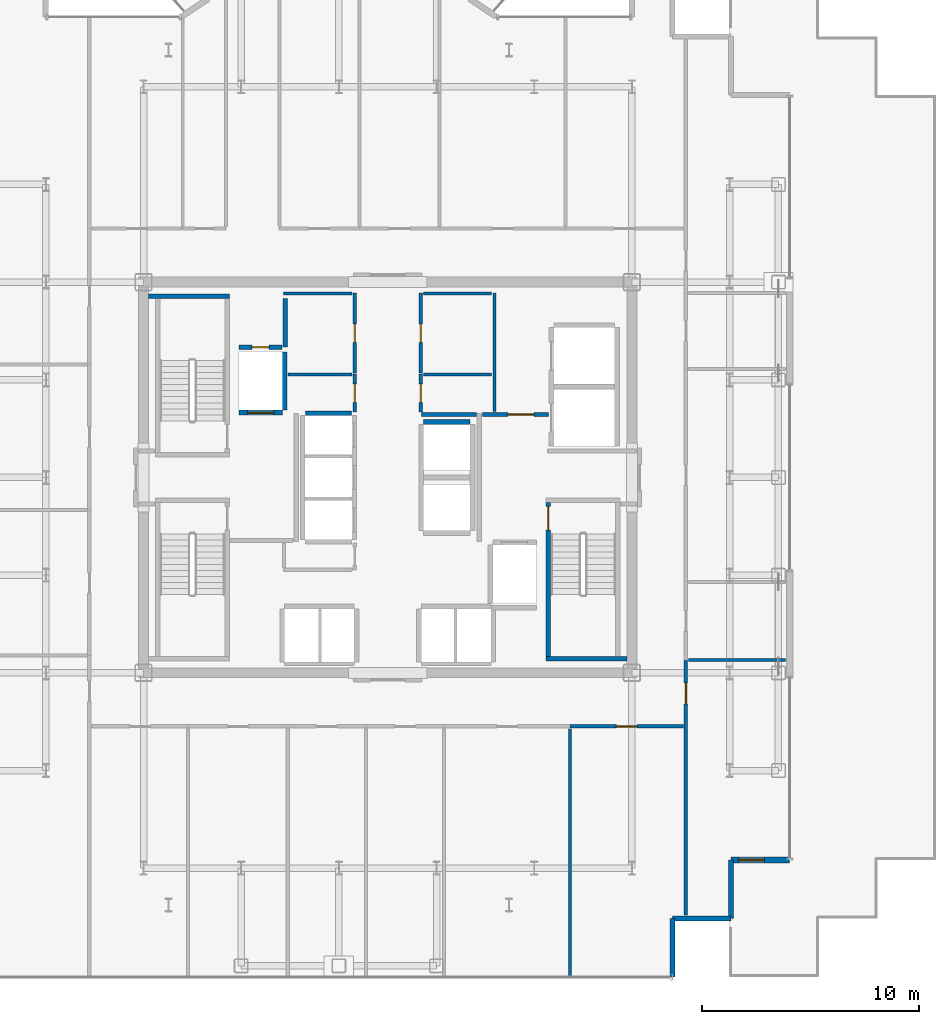
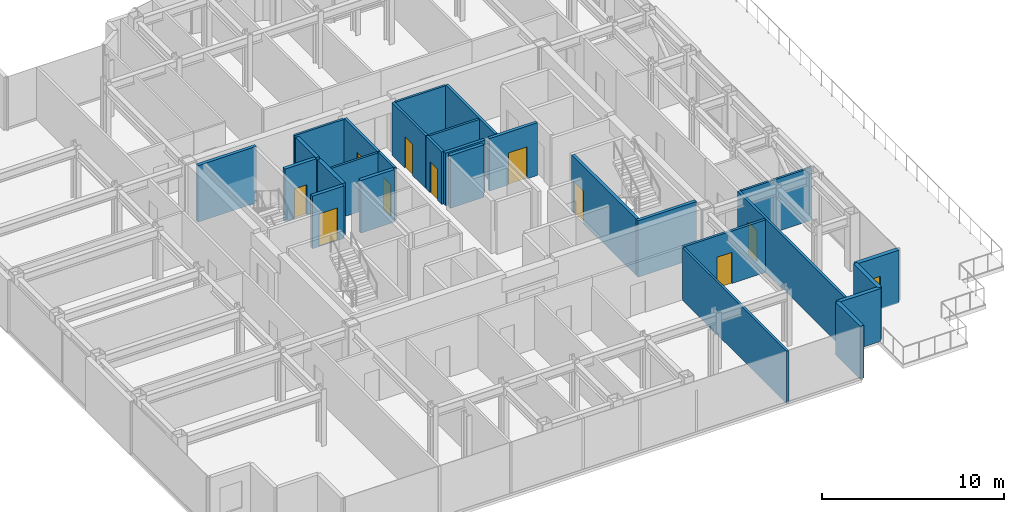
# One storey, part 13 of 17: 28 walls, 11 doors, 11 openings.
"""IFC4 building model written with IfcOpenShell, lengths in metres."""

from ifc_helpers import new_model, si_unit, direction, frame, frame_2d, origin, place, context, subcontext, project, spatial, rectangle, extrude, source, transform, mapped, material, layer, layer_set, type_object, element, fill, save


model = new_model("IFC4")

# Units and contexts
model_context = context("Model", 3, precision=1e-05, world=origin(), true_north=direction((0.0, 1.0)))
body_context = subcontext(model_context, "Body", "Model", "MODEL_VIEW")
ifc_project = project(units=[si_unit("LENGTHUNIT", "METRE"), si_unit("AREAUNIT", "SQUARE_METRE"), si_unit("VOLUMEUNIT", "CUBIC_METRE"), si_unit("PLANEANGLEUNIT", "RADIAN"), si_unit("MASSUNIT", "GRAM", prefix="KILO")], contexts=[model_context])

# Site, building, storey
site_placement = place(None, origin())
site = spatial("IfcSite", under=ifc_project, at=site_placement, CompositionType="ELEMENT")
building_placement = place(site_placement, origin())
building = spatial("IfcBuilding", under=site, at=building_placement, Name="Nefas-Gora Pilgrimage Tower", CompositionType="ELEMENT")
storey_placement = place(building_placement, frame((0.0, 0.0, 264.60009765625)))
storey = spatial("IfcBuildingStorey", under=building, at=storey_placement, Name="L66", CompositionType="ELEMENT", Elevation=264.60009765625)

# Walls
ifc_material_1 = material(Name="Precast concrete C45/55", Category="concrete")
ifc_layer_1 = layer(ifc_material_1, 0.239990234375)
ifc_layer_set_1 = layer_set([ifc_layer_1], Name="Precast concrete C45/55")
wall_type_1 = type_object("IfcWallType", Name="EW-SERR-240", PredefinedType="SHEAR", material=ifc_layer_set_1)
shared_shape_1 = source(origin(), body_context, "Body", "SweptSolid", [
    extrude(rectangle(XDim=2.699951171875, YDim=0.239990234375, at=frame_2d((1.35009765625, 0.0))), origin(), (0.0, 0.0, 1.0), 3.5498046875),
])
for number, where, z_axis, x_axis, name in (
    (1, (13.1201171875, -23.02001953125, 0.0), (0.0, 0.0, 1.0), (0.0, 1.0, 0.0), "L66 Serrated Corner Shear Pier Wall 29"),
    (2, (13.1201171875, -20.320068359375, 0.0), (0.0, 0.0, 1.0), (1.0, 0.0, 0.0), "L66 Serrated Corner Shear Pier Wall 30"),
    (3, (15.820068359375, -20.320068359375, 0.0), (0.0, 0.0, 1.0), (0.0, 1.0, 0.0), "L66 Serrated Corner Shear Pier Wall 31"),
):
    element("IfcWall", number, at=place(storey_placement, frame(where, z_axis=z_axis, x_axis=x_axis)), inside=storey, type_object=wall_type_1, Name=name, PredefinedType="SHEAR", context=body_context, shape_type="MappedRepresentation", body=[
        mapped(shared_shape_1, transform((0.0, 0.0, 0.0), x_axis=(1.0, 0.0, 0.0), y_axis=(0.0, 1.0, 0.0), z_axis=(0.0, 0.0, 1.0), scale=1.0)),
    ])

# Wall, opening, door
ifc_material_2 = material(Name="Precast concrete C40/50", Category="concrete")
ifc_layer_2 = layer(ifc_material_2, 0.260009765625)
ifc_layer_set_2 = layer_set([ifc_layer_2], Name="Precast concrete C40/50")
wall_type_2 = type_object("IfcWallType", Name="EW-PORTAL-260", PredefinedType="SOLIDWALL", material=ifc_layer_set_2)
shared_shape_2 = source(origin(), body_context, "Body", "SweptSolid", [
    extrude(rectangle(XDim=2.699951171875, YDim=0.260009765625, at=frame_2d((1.35009765625, 0.0))), origin(), (0.0, 0.0, 1.0), 3.5498046875),
])
wall_1_placement = place(storey_placement, frame((15.820068359375, -17.6201171875, 0.0), z_axis=(0.0, 0.0, 1.0), x_axis=(1.0, 0.0, 0.0)))
wall_1 = element("IfcWall", 4, at=wall_1_placement, inside=storey, type_object=wall_type_2, Name="L66 Insulated Terrace Portal Wall 5", PredefinedType="SOLIDWALL", context=body_context, shape_type="MappedRepresentation", body=[
    mapped(shared_shape_2, transform((0.0, 0.0, 0.0), x_axis=(1.0, 0.0, 0.0), y_axis=(0.0, 1.0, 0.0), z_axis=(0.0, 0.0, 1.0), scale=1.0)),
])
opening_1_placement = place(wall_1_placement, frame((0.333984375, 0.0, 0.0)))
opening_1 = element("IfcOpeningElement", 5, at=opening_1_placement, cuts=wall_1, Name="Opening ED-S1", PredefinedType="OPENING", context=body_context, shape_type="SweptSolid", body=[
    extrude(rectangle(XDim=1.199951171875, YDim=2.199951171875, at=frame_2d((0.60009765625, 1.10009765625))), frame((0.0, 0.139892578125, 0.0), z_axis=(0.0, -1.0, 0.0), x_axis=(1.0, 0.0, 0.0)), (0.0, 0.0, 1.0), 0.280029296875),
])
ifc_material_3 = material(Name="Heavy-wind glazed aluminium sky-terrace door", Category="aluminium")
door_type_1 = type_object("IfcDoorType", Name="DR-EXT-SKY-1200", OperationType="NOTDEFINED", PredefinedType="DOOR", material=ifc_material_3)
shared_shape_3 = source(origin(), body_context, "Body", "SweptSolid", [
    extrude(rectangle(XDim=1.199951171875, YDim=2.199951171875, at=frame_2d((0.60009765625, 1.10009765625))), frame((0.0, 0.02490234375, 0.0), z_axis=(0.0, -1.0, 0.0), x_axis=(1.0, 0.0, 0.0)), (0.0, 0.0, 1.0), 0.050048828125),
])
door_1_placement = place(opening_1_placement, origin())
door_1 = element("IfcDoor", 6, at=door_1_placement, inside=storey, type_object=door_type_1, Name="L66 Exterior Door (L66 Outdoor Terrace TER-L66-1)", OperationType="SINGLE_SWING_LEFT", OverallHeight=2.199951171875, OverallWidth=1.199951171875, PredefinedType="DOOR", context=body_context, shape_type="MappedRepresentation", body=[
    mapped(shared_shape_3, transform((0.0, 0.0, 0.0), x_axis=(1.0, 0.0, 0.0), y_axis=(0.0, 1.0, 0.0), z_axis=(0.0, 0.0, 1.0), scale=1.0)),
])
fill(opening_1, door_1)

ifc_material_4 = material(Name="Concrete C45/55", Category="concrete")
ifc_layer_3 = layer(ifc_material_4, 0.199951171875)
ifc_layer_set_3 = layer_set([ifc_layer_3], Name="Concrete C45/55")
wall_type_3 = type_object("IfcWallType", Name="IW-STAIR-200", PredefinedType="SOLIDWALL", material=ifc_layer_set_3)
shared_shape_4 = source(origin(), body_context, "Body", "SweptSolid", [
    extrude(rectangle(XDim=7.10009765625, YDim=0.199951171875, at=frame_2d((3.550048828125, 0.0))), origin(), (0.0, 0.0, 1.0), 3.7998046875),
])
wall_2_placement = place(storey_placement, frame((7.39990234375, -1.14990234375, 0.0), z_axis=(0.0, 0.0, 1.0), x_axis=(0.0, -1.0, 0.0)))
wall_2 = element("IfcWall", 7, at=wall_2_placement, inside=storey, type_object=wall_type_3, Name="L66 Stairwell Shear Wall ST-02-left", PredefinedType="SOLIDWALL", context=body_context, shape_type="MappedRepresentation", body=[
    mapped(shared_shape_4, transform((0.0, 0.0, 0.0), x_axis=(1.0, 0.0, 0.0), y_axis=(0.0, 1.0, 0.0), z_axis=(0.0, 0.0, 1.0), scale=1.0)),
])
opening_2_placement = place(wall_2_placement, frame((0.179931640625, 0.0, 0.0)))
opening_2 = element("IfcOpeningElement", 8, at=opening_2_placement, cuts=wall_2, Name="Opening ID-ST1", PredefinedType="OPENING", context=body_context, shape_type="SweptSolid", body=[
    extrude(rectangle(XDim=1.10009765625, YDim=2.14990234375, at=frame_2d((0.550048828125, 1.074951171875))), frame((0.0, 0.10986328125, 0.0), z_axis=(0.0, -1.0, 0.0), x_axis=(1.0, 0.0, 0.0)), (0.0, 0.0, 1.0), 0.219970703125),
])
ifc_material_5 = material(Name="Painted galvanised steel fire stair door", Category="steel")
door_type_2 = type_object("IfcDoorType", Name="DR-INT-STAIR-1100", OperationType="NOTDEFINED", PredefinedType="DOOR", material=ifc_material_5)
shared_shape_5 = source(origin(), body_context, "Body", "SweptSolid", [
    extrude(rectangle(XDim=1.10009765625, YDim=2.14990234375, at=frame_2d((0.550048828125, 1.074951171875))), frame((0.0, 0.02490234375, 0.0), z_axis=(0.0, -1.0, 0.0), x_axis=(1.0, 0.0, 0.0)), (0.0, 0.0, 1.0), 0.050048828125),
])
door_2_placement = place(opening_2_placement, origin())
door_2 = element("IfcDoor", 9, at=door_2_placement, inside=storey, type_object=door_type_2, Name="L66 Protected Exit Stair Door ST-02", OperationType="SINGLE_SWING_LEFT", OverallHeight=2.14990234375, OverallWidth=1.10009765625, PredefinedType="DOOR", context=body_context, shape_type="MappedRepresentation", body=[
    mapped(shared_shape_5, transform((0.0, 0.0, 0.0), x_axis=(1.0, 0.0, 0.0), y_axis=(0.0, 1.0, 0.0), z_axis=(0.0, 0.0, 1.0), scale=1.0)),
])
fill(opening_2, door_2)

# Walls
shared_shape_6 = source(origin(), body_context, "Body", "SweptSolid", [
    extrude(rectangle(XDim=3.72998046875, YDim=0.199951171875, at=frame_2d((1.864990234375, 0.0))), origin(), (0.0, 0.0, 1.0), 3.7998046875),
])
for number, where, z_axis, x_axis, name in (
    (10, (-7.300048828125, 8.35009765625, 0.0), (0.0, 0.0, 1.0), (-1.0, 0.0, 0.0), "L66 Stairwell Shear Wall ST-01-far"),
    (11, (7.300048828125, -8.35009765625, 0.0), (0.0, 0.0, 1.0), (1.0, 0.0, 0.0), "L66 Stairwell Shear Wall ST-02-far"),
):
    element("IfcWall", number, at=place(storey_placement, frame(where, z_axis=z_axis, x_axis=x_axis)), inside=storey, type_object=wall_type_3, Name=name, PredefinedType="SOLIDWALL", context=body_context, shape_type="MappedRepresentation", body=[
        mapped(shared_shape_6, transform((0.0, 0.0, 0.0), x_axis=(1.0, 0.0, 0.0), y_axis=(0.0, 1.0, 0.0), z_axis=(0.0, 0.0, 1.0), scale=1.0)),
    ])

# Wall, opening, door
ifc_material_6 = material(Name="Concrete C40/50", Category="concrete")
ifc_layer_4 = layer(ifc_material_6, 0.219970703125)
ifc_layer_set_4 = layer_set([ifc_layer_4], Name="Concrete C40/50")
wall_type_4 = type_object("IfcWallType", Name="IW-SHAFT-220", PredefinedType="SOLIDWALL", material=ifc_layer_set_4)
shared_shape_7 = source(origin(), body_context, "Body", "SweptSolid", [
    extrude(rectangle(XDim=2.0, YDim=0.219970703125, at=frame_2d((1.0, 0.0))), origin(), (0.0, 0.0, 1.0), 3.534912109375),
])
wall_3_placement = place(storey_placement, frame((-6.85009765625, 2.989990234375, 0.0), z_axis=(0.0, 0.0, 1.0), x_axis=(1.0, 0.0, 0.0)))
wall_3 = element("IfcWall", 12, at=wall_3_placement, inside=storey, type_object=wall_type_4, Name="L66 Hoistway Wall FFL-01-S", PredefinedType="SOLIDWALL", context=body_context, shape_type="MappedRepresentation", body=[
    mapped(shared_shape_7, transform((0.0, 0.0, 0.0), x_axis=(1.0, 0.0, 0.0), y_axis=(0.0, 1.0, 0.0), z_axis=(0.0, 0.0, 1.0), scale=1.0)),
])
opening_3_placement = place(wall_3_placement, frame((0.39990234375, 0.0, 0.0)))
opening_3 = element("IfcOpeningElement", 13, at=opening_3_placement, cuts=wall_3, Name="Opening LD-FF", PredefinedType="OPENING", context=body_context, shape_type="SweptSolid", body=[
    extrude(rectangle(XDim=1.199951171875, YDim=2.199951171875, at=frame_2d((0.60009765625, 1.10009765625))), frame((0.0, 0.119873046875, 0.0), z_axis=(0.0, -1.0, 0.0), x_axis=(1.0, 0.0, 0.0)), (0.0, 0.0, 1.0), 0.239990234375),
])
ifc_material_7 = material(Name="Fire-service sliding lift landing door")
door_type_3 = type_object("IfcDoorType", Name="DR-LIFT-FSAE-1200", OperationType="SLIDING_TO_LEFT", PredefinedType="DOOR", material=ifc_material_7)
door_3_placement = place(opening_3_placement, origin())
door_3 = element("IfcDoor", 14, at=door_3_placement, inside=storey, type_object=door_type_3, Name="L66 Sliding Lift Landing Door FFL-01", OperationType="SLIDING_TO_LEFT", OverallHeight=2.199951171875, OverallWidth=1.199951171875, PredefinedType="DOOR", context=body_context, shape_type="MappedRepresentation", body=[
    mapped(shared_shape_3, transform((0.0, 0.0, 0.0), x_axis=(1.0, 0.0, 0.0), y_axis=(0.0, 1.0, 0.0), z_axis=(0.0, 0.0, 1.0), scale=1.0)),
])
fill(opening_3, door_3)

# Walls
shared_shape_8 = source(origin(), body_context, "Body", "SweptSolid", [
    extrude(rectangle(XDim=2.679931640625, YDim=0.219970703125, at=frame_2d((1.33984375, 0.0))), origin(), (0.0, 0.0, 1.0), 3.534912109375),
])
wall_4_placement = place(storey_placement, frame((-4.739990234375, 3.110107421875, 0.0), z_axis=(0.0, 0.0, 1.0), x_axis=(0.0, 1.0, 0.0)))
element("IfcWall", 15, at=wall_4_placement, inside=storey, type_object=wall_type_4, Name="L66 Hoistway Wall FFL-01-E", PredefinedType="SOLIDWALL", context=body_context, shape_type="MappedRepresentation", body=[
    mapped(shared_shape_8, transform((0.0, 0.0, 0.0), x_axis=(1.0, 0.0, 0.0), y_axis=(0.0, 1.0, 0.0), z_axis=(0.0, 0.0, 1.0), scale=1.0)),
])
shared_shape_9 = source(origin(), body_context, "Body", "SweptSolid", [
    extrude(rectangle(XDim=2.130126953125, YDim=0.219970703125, at=frame_2d((1.06494140625, 0.0))), origin(), (0.0, 0.0, 1.0), 3.534912109375),
])
for number, where, z_axis, x_axis, name in (
    (16, (-1.659912109375, 2.9599609375, 0.0), (0.0, 0.0, 1.0), (-1.0, 0.0, 0.0), "L66 Hoistway Wall PL3-03-N"),
    (17, (3.7900390625, 2.56005859375, 0.0), (0.0, 0.0, 1.0), (-1.0, 0.0, 0.0), "L66 Hoistway Wall OBS-02-N"),
):
    element("IfcWall", number, at=place(storey_placement, frame(where, z_axis=z_axis, x_axis=x_axis)), inside=storey, type_object=wall_type_4, Name=name, PredefinedType="SOLIDWALL", context=body_context, shape_type="MappedRepresentation", body=[
        mapped(shared_shape_9, transform((0.0, 0.0, 0.0), x_axis=(1.0, 0.0, 0.0), y_axis=(0.0, 1.0, 0.0), z_axis=(0.0, 0.0, 1.0), scale=1.0)),
    ])

# Wall, opening, door
ifc_material_8 = material(Name="Gypsum fire-rated shaftwall")
ifc_layer_5 = layer(ifc_material_8, 0.199951171875)
ifc_layer_set_5 = layer_set([ifc_layer_5], Name="Gypsum fire-rated shaftwall")
wall_type_5 = type_object("IfcWallType", Name="IW-FFLOB-200", PredefinedType="PARTITIONING", material=ifc_layer_set_5)
shared_shape_10 = source(origin(), body_context, "Body", "SweptSolid", [
    extrude(rectangle(XDim=3.039794921875, YDim=0.199951171875, at=frame_2d((1.52001953125, 0.0))), origin(), (0.0, 0.0, 1.0), 3.534912109375),
])
wall_5_placement = place(storey_placement, frame((4.360107421875, 2.89990234375, 0.0), z_axis=(0.0, 0.0, 1.0), x_axis=(1.0, 0.0, 0.0)))
wall_5 = element("IfcWall", 18, at=wall_5_placement, inside=storey, type_object=wall_type_5, Name="L66 FF Lobby East North Wall Wall 12", PredefinedType="PARTITIONING", context=body_context, shape_type="MappedRepresentation", body=[
    mapped(shared_shape_10, transform((0.0, 0.0, 0.0), x_axis=(1.0, 0.0, 0.0), y_axis=(0.0, 1.0, 0.0), z_axis=(0.0, 0.0, 1.0), scale=1.0)),
])
opening_4_placement = place(wall_5_placement, frame((1.18994140625, 0.0, 0.0)))
opening_4 = element("IfcOpeningElement", 19, at=opening_4_placement, cuts=wall_5, Name="Opening ID-PL1", PredefinedType="OPENING", context=body_context, shape_type="SweptSolid", body=[
    extrude(rectangle(XDim=1.199951171875, YDim=2.14990234375, at=frame_2d((0.60009765625, 1.074951171875))), frame((0.0, 0.10986328125, 0.0), z_axis=(0.0, -1.0, 0.0), x_axis=(1.0, 0.0, 0.0)), (0.0, 0.0, 1.0), 0.219970703125),
])
ifc_material_9 = material(Name="Heavy-duty steel plant room fire door", Category="steel")
door_type_4 = type_object("IfcDoorType", Name="DR-INT-PLANT-1200", OperationType="NOTDEFINED", PredefinedType="DOOR", material=ifc_material_9)
shared_shape_11 = source(origin(), body_context, "Body", "SweptSolid", [
    extrude(rectangle(XDim=1.199951171875, YDim=2.14990234375, at=frame_2d((0.60009765625, 1.074951171875))), frame((0.0, 0.02490234375, 0.0), z_axis=(0.0, -1.0, 0.0), x_axis=(1.0, 0.0, 0.0)), (0.0, 0.0, 1.0), 0.050048828125),
])
door_4_placement = place(opening_4_placement, origin())
door_4 = element("IfcDoor", 20, at=door_4_placement, inside=storey, type_object=door_type_4, Name="L66 Service Lift Lobby Door Door 4", OperationType="SINGLE_SWING_RIGHT", OverallHeight=2.14990234375, OverallWidth=1.199951171875, PredefinedType="DOOR", context=body_context, shape_type="MappedRepresentation", body=[
    mapped(shared_shape_11, transform((0.0, 0.0, 0.0), x_axis=(1.0, 0.0, 0.0), y_axis=(0.0, 1.0, 0.0), z_axis=(0.0, 0.0, 1.0), scale=1.0)),
])
fill(opening_4, door_4)

# Wall
ifc_material_10 = material(Name="Gypsum twin-stud partition")
ifc_layer_6 = layer(ifc_material_10, 0.139892578125)
ifc_layer_set_6 = layer_set([ifc_layer_6], Name="Gypsum twin-stud partition")
wall_type_6 = type_object("IfcWallType", Name="IW-UNIT-140", PredefinedType="PARTITIONING", material=ifc_layer_set_6)
shared_shape_12 = source(origin(), body_context, "Body", "SweptSolid", [
    extrude(rectangle(XDim=2.9501953125, YDim=0.139892578125, at=frame_2d((1.47509765625, 0.0))), origin(), (0.0, 0.0, 1.0), 3.534912109375),
])
wall_6_placement = place(storey_placement, frame((-4.590087890625, 4.75, 0.0), z_axis=(0.0, 0.0, 1.0), x_axis=(1.0, 0.0, 0.0)))
element("IfcWall", 21, at=wall_6_placement, inside=storey, type_object=wall_type_6, Name="L66 Housekeeping and Linen Store Partition Wall 19", PredefinedType="PARTITIONING", context=body_context, shape_type="MappedRepresentation", body=[
    mapped(shared_shape_12, transform((0.0, 0.0, 0.0), x_axis=(1.0, 0.0, 0.0), y_axis=(0.0, 1.0, 0.0), z_axis=(0.0, 0.0, 1.0), scale=1.0)),
])

# Wall, opening, door
ifc_material_11 = material(Name="Gypsum acoustic stud partition")
ifc_layer_7 = layer(ifc_material_11, 0.159912109375)
ifc_layer_set_7 = layer_set([ifc_layer_7], Name="Gypsum acoustic stud partition")
wall_type_7 = type_object("IfcWallType", Name="IW-CORR-160", PredefinedType="PARTITIONING", material=ifc_layer_set_7)
shared_shape_13 = source(origin(), body_context, "Body", "SweptSolid", [
    extrude(rectangle(XDim=5.22509765625, YDim=0.159912109375, at=frame_2d((2.612548828125, 0.0))), origin(), (0.0, 0.0, 1.0), 3.534912109375),
])
wall_7_placement = place(storey_placement, frame((8.39501953125, -11.469970703125, 0.0), z_axis=(0.0, 0.0, 1.0), x_axis=(1.0, 0.0, 0.0)))
wall_7 = element("IfcWall", 22, at=wall_7_placement, inside=storey, type_object=wall_type_7, Name="L66 Pilgrim Contemplative Lounge Partition Wall 67", PredefinedType="PARTITIONING", context=body_context, shape_type="MappedRepresentation", body=[
    mapped(shared_shape_13, transform((0.0, 0.0, 0.0), x_axis=(1.0, 0.0, 0.0), y_axis=(0.0, 1.0, 0.0), z_axis=(0.0, 0.0, 1.0), scale=1.0)),
])
opening_5_placement = place(wall_7_placement, frame((2.137451171875, 0.0, 0.0)))
opening_5 = element("IfcOpeningElement", 23, at=opening_5_placement, cuts=wall_7, Name="Opening ID-GR1", PredefinedType="OPENING", context=body_context, shape_type="SweptSolid", body=[
    extrude(rectangle(XDim=0.949951171875, YDim=2.10009765625, at=frame_2d((0.47509765625, 1.050048828125))), frame((0.0, 0.08984375, 0.0), z_axis=(0.0, -1.0, 0.0), x_axis=(1.0, 0.0, 0.0)), (0.0, 0.0, 1.0), 0.179931640625),
])
ifc_material_12 = material(Name="Solid core oak fire-rated guest entrance door")
door_type_5 = type_object("IfcDoorType", Name="DR-INT-GUEST-950", OperationType="NOTDEFINED", PredefinedType="DOOR", material=ifc_material_12)
shared_shape_14 = source(origin(), body_context, "Body", "SweptSolid", [
    extrude(rectangle(XDim=0.949951171875, YDim=2.10009765625, at=frame_2d((0.47509765625, 1.050048828125))), frame((0.0, 0.02490234375, 0.0), z_axis=(0.0, -1.0, 0.0), x_axis=(1.0, 0.0, 0.0)), (0.0, 0.0, 1.0), 0.050048828125),
])
door_5_placement = place(opening_5_placement, origin())
door_5 = element("IfcDoor", 24, at=door_5_placement, inside=storey, type_object=door_type_5, Name="L66 Pilgrim Contemplative Lounge Door 32", OperationType="SINGLE_SWING_RIGHT", OverallHeight=2.10009765625, OverallWidth=0.949951171875, PredefinedType="DOOR", context=body_context, shape_type="MappedRepresentation", body=[
    mapped(shared_shape_14, transform((0.0, 0.0, 0.0), x_axis=(1.0, 0.0, 0.0), y_axis=(0.0, 1.0, 0.0), z_axis=(0.0, 0.0, 1.0), scale=1.0)),
])
fill(opening_5, door_5)

# Walls
shared_shape_15 = source(origin(), body_context, "Body", "SweptSolid", [
    extrude(rectangle(XDim=3.150146484375, YDim=0.139892578125, at=frame_2d((1.5751953125, 0.0))), origin(), (0.0, 0.0, 1.0), 3.534912109375),
])
for number, where, z_axis, x_axis, name in (
    (25, (-4.7900390625, 8.47998046875, 0.0), (0.0, 0.0, 1.0), (1.0, 0.0, 0.0), "L66 Archival Supply Store Partition Wall 21"),
    (26, (1.639892578125, 4.75, 0.0), (0.0, 0.0, 1.0), (1.0, 0.0, 0.0), "L66 Clean Blanket and Robe Store Partition Wall 23"),
    (27, (1.639892578125, 8.47998046875, 0.0), (0.0, 0.0, 1.0), (1.0, 0.0, 0.0), "L66 Amenity Supply Store Partition Wall 25"),
):
    element("IfcWall", number, at=place(storey_placement, frame(where, z_axis=z_axis, x_axis=x_axis)), inside=storey, type_object=wall_type_6, Name=name, PredefinedType="PARTITIONING", context=body_context, shape_type="MappedRepresentation", body=[
        mapped(shared_shape_15, transform((0.0, 0.0, 0.0), x_axis=(1.0, 0.0, 0.0), y_axis=(0.0, 1.0, 0.0), z_axis=(0.0, 0.0, 1.0), scale=1.0)),
    ])
shared_shape_16 = source(origin(), body_context, "Body", "SweptSolid", [
    extrude(rectangle(XDim=2.25, YDim=0.219970703125, at=frame_2d((1.125, 0.0))), origin(), (0.0, 0.0, 1.0), 3.534912109375),
])
wall_8_placement = place(storey_placement, frame((-4.719970703125, 6.0, 0.0), z_axis=(0.0, 0.0, 1.0), x_axis=(0.0, 1.0, 0.0)))
element("IfcWall", 28, at=wall_8_placement, inside=storey, type_object=wall_type_4, Name="L66 Riser Shaft Wall 1", PredefinedType="SOLIDWALL", context=body_context, shape_type="MappedRepresentation", body=[
    mapped(shared_shape_16, transform((0.0, 0.0, 0.0), x_axis=(1.0, 0.0, 0.0), y_axis=(0.0, 1.0, 0.0), z_axis=(0.0, 0.0, 1.0), scale=1.0)),
])

# Wall, opening, door
shared_shape_17 = source(origin(), body_context, "Body", "SweptSolid", [
    extrude(rectangle(XDim=1.97998046875, YDim=0.219970703125, at=frame_2d((0.989990234375, 0.0))), origin(), (0.0, 0.0, 1.0), 3.534912109375),
])
wall_9_placement = place(storey_placement, frame((-6.85009765625, 6.0, 0.0), z_axis=(0.0, 0.0, 1.0), x_axis=(1.0, 0.0, 0.0)))
wall_9 = element("IfcWall", 29, at=wall_9_placement, inside=storey, type_object=wall_type_4, Name="L66 Riser Shaft Wall 2", PredefinedType="SOLIDWALL", context=body_context, shape_type="MappedRepresentation", body=[
    mapped(shared_shape_17, transform((0.0, 0.0, 0.0), x_axis=(1.0, 0.0, 0.0), y_axis=(0.0, 1.0, 0.0), z_axis=(0.0, 0.0, 1.0), scale=1.0)),
])
opening_6_placement = place(wall_9_placement, frame((0.590087890625, 0.0, 0.0)))
opening_6 = element("IfcOpeningElement", 30, at=opening_6_placement, cuts=wall_9, Name="Opening ID-TR1", PredefinedType="OPENING", context=body_context, shape_type="SweptSolid", body=[
    extrude(rectangle(XDim=0.800048828125, YDim=2.0, at=frame_2d((0.39990234375, 1.0))), frame((0.0, 0.119873046875, 0.0), z_axis=(0.0, -1.0, 0.0), x_axis=(1.0, 0.0, 0.0)), (0.0, 0.0, 1.0), 0.239990234375),
])
ifc_material_13 = material(Name="Riser maintenance fire access door")
door_type_6 = type_object("IfcDoorType", Name="DR-INT-TRAP-800", OperationType="NOTDEFINED", PredefinedType="TRAPDOOR", material=ifc_material_13)
shared_shape_18 = source(origin(), body_context, "Body", "SweptSolid", [
    extrude(rectangle(XDim=0.800048828125, YDim=2.0, at=frame_2d((0.39990234375, 1.0))), frame((0.0, 0.02490234375, 0.0), z_axis=(0.0, -1.0, 0.0), x_axis=(1.0, 0.0, 0.0)), (0.0, 0.0, 1.0), 0.050048828125),
])
door_6_placement = place(opening_6_placement, origin())
door_6 = element("IfcDoor", 31, at=door_6_placement, inside=storey, type_object=door_type_6, Name="L66 Riser Shaft Door 1", OperationType="SINGLE_SWING_LEFT", OverallHeight=2.0, OverallWidth=0.800048828125, PredefinedType="TRAPDOOR", context=body_context, shape_type="MappedRepresentation", body=[
    mapped(shared_shape_18, transform((0.0, 0.0, 0.0), x_axis=(1.0, 0.0, 0.0), y_axis=(0.0, 1.0, 0.0), z_axis=(0.0, 0.0, 1.0), scale=1.0)),
])
fill(opening_6, door_6)

# Walls
shared_shape_19 = source(origin(), body_context, "Body", "SweptSolid", [
    extrude(rectangle(XDim=2.52001953125, YDim=0.199951171875, at=frame_2d((1.260009765625, 0.0))), origin(), (0.0, 0.0, 1.0), 3.534912109375),
])
wall_10_placement = place(storey_placement, frame((1.56005859375, 2.89990234375, 0.0), z_axis=(0.0, 0.0, 1.0), x_axis=(1.0, 0.0, 0.0)))
element("IfcWall", 32, at=wall_10_placement, inside=storey, type_object=wall_type_5, Name="L66 FF Lobby East North Wall Wall 11", PredefinedType="PARTITIONING", context=body_context, shape_type="MappedRepresentation", body=[
    mapped(shared_shape_19, transform((0.0, 0.0, 0.0), x_axis=(1.0, 0.0, 0.0), y_axis=(0.0, 1.0, 0.0), z_axis=(0.0, 0.0, 1.0), scale=1.0)),
])
shared_shape_20 = source(origin(), body_context, "Body", "SweptSolid", [
    extrude(rectangle(XDim=5.449951171875, YDim=0.159912109375, at=frame_2d((2.72509765625, 0.0))), origin(), (0.0, 0.0, 1.0), 3.534912109375),
])
wall_11_placement = place(storey_placement, frame((4.919921875, 3.0400390625, 0.0), z_axis=(0.0, 0.0, 1.0), x_axis=(0.0, 1.0, 0.0)))
element("IfcWall", 33, at=wall_11_placement, inside=storey, type_object=wall_type_7, Name="L66 Service Lift Lobby West Wall Wall 17", PredefinedType="PARTITIONING", context=body_context, shape_type="MappedRepresentation", body=[
    mapped(shared_shape_20, transform((0.0, 0.0, 0.0), x_axis=(1.0, 0.0, 0.0), y_axis=(0.0, 1.0, 0.0), z_axis=(0.0, 0.0, 1.0), scale=1.0)),
])

# Wall, opening, door
shared_shape_21 = source(origin(), body_context, "Body", "SweptSolid", [
    extrude(rectangle(XDim=1.75, YDim=0.159912109375, at=frame_2d((0.875, 0.0))), origin(), (0.0, 0.0, 1.0), 3.534912109375),
])
wall_12_placement = place(storey_placement, frame((-1.52001953125, 3.010009765625, 0.0), z_axis=(0.0, 0.0, 1.0), x_axis=(0.0, 1.0, 0.0)))
wall_12 = element("IfcWall", 34, at=wall_12_placement, inside=storey, type_object=wall_type_7, Name="L66 Housekeeping and Linen Store Wall 18", PredefinedType="PARTITIONING", context=body_context, shape_type="MappedRepresentation", body=[
    mapped(shared_shape_21, transform((0.0, 0.0, 0.0), x_axis=(1.0, 0.0, 0.0), y_axis=(0.0, 1.0, 0.0), z_axis=(0.0, 0.0, 1.0), scale=1.0)),
])
opening_7_placement = place(wall_12_placement, frame((0.449951171875, 0.0, 0.0)))
opening_7 = element("IfcOpeningElement", 35, at=opening_7_placement, cuts=wall_12, Name="Opening ID-BT1", PredefinedType="OPENING", context=body_context, shape_type="SweptSolid", body=[
    extrude(rectangle(XDim=0.85009765625, YDim=2.10009765625, at=frame_2d((0.425048828125, 1.050048828125))), frame((0.0, 0.08984375, 0.0), z_axis=(0.0, -1.0, 0.0), x_axis=(1.0, 0.0, 0.0)), (0.0, 0.0, 1.0), 0.179931640625),
])
ifc_material_14 = material(Name="Moisture-resistant fire-rated timber door", Category="wood")
door_type_7 = type_object("IfcDoorType", Name="DR-INT-BATH-850", OperationType="NOTDEFINED", PredefinedType="DOOR", material=ifc_material_14)
shared_shape_22 = source(origin(), body_context, "Body", "SweptSolid", [
    extrude(rectangle(XDim=0.85009765625, YDim=2.10009765625, at=frame_2d((0.425048828125, 1.050048828125))), frame((0.0, 0.02490234375, 0.0), z_axis=(0.0, -1.0, 0.0), x_axis=(1.0, 0.0, 0.0)), (0.0, 0.0, 1.0), 0.050048828125),
])
door_7_placement = place(opening_7_placement, origin())
door_7 = element("IfcDoor", 36, at=door_7_placement, inside=storey, type_object=door_type_7, Name="L66 Housekeeping and Linen Store Door 7", OperationType="SINGLE_SWING_LEFT", OverallHeight=2.10009765625, OverallWidth=0.85009765625, PredefinedType="DOOR", context=body_context, shape_type="MappedRepresentation", body=[
    mapped(shared_shape_22, transform((0.0, 0.0, 0.0), x_axis=(1.0, 0.0, 0.0), y_axis=(0.0, 1.0, 0.0), z_axis=(0.0, 0.0, 1.0), scale=1.0)),
])
fill(opening_7, door_7)

wall_13_placement = place(storey_placement, frame((1.52001953125, 3.010009765625, 0.0), z_axis=(0.0, 0.0, 1.0), x_axis=(0.0, 1.0, 0.0)))
wall_13 = element("IfcWall", 37, at=wall_13_placement, inside=storey, type_object=wall_type_7, Name="L66 Clean Blanket and Robe Store Wall 22", PredefinedType="PARTITIONING", context=body_context, shape_type="MappedRepresentation", body=[
    mapped(shared_shape_21, transform((0.0, 0.0, 0.0), x_axis=(1.0, 0.0, 0.0), y_axis=(0.0, 1.0, 0.0), z_axis=(0.0, 0.0, 1.0), scale=1.0)),
])
opening_8_placement = place(wall_13_placement, frame((0.449951171875, 0.0, 0.0)))
opening_8 = element("IfcOpeningElement", 38, at=opening_8_placement, cuts=wall_13, Name="Opening ID-BT1", PredefinedType="OPENING", context=body_context, shape_type="SweptSolid", body=[
    extrude(rectangle(XDim=0.85009765625, YDim=2.10009765625, at=frame_2d((0.425048828125, 1.050048828125))), frame((0.0, 0.08984375, 0.0), z_axis=(0.0, -1.0, 0.0), x_axis=(1.0, 0.0, 0.0)), (0.0, 0.0, 1.0), 0.179931640625),
])
door_8_placement = place(opening_8_placement, origin())
door_8 = element("IfcDoor", 39, at=door_8_placement, inside=storey, type_object=door_type_7, Name="L66 Clean Blanket and Robe Store Door 9", OperationType="SINGLE_SWING_LEFT", OverallHeight=2.10009765625, OverallWidth=0.85009765625, PredefinedType="DOOR", context=body_context, shape_type="MappedRepresentation", body=[
    mapped(shared_shape_22, transform((0.0, 0.0, 0.0), x_axis=(1.0, 0.0, 0.0), y_axis=(0.0, 1.0, 0.0), z_axis=(0.0, 0.0, 1.0), scale=1.0)),
])
fill(opening_8, door_8)

shared_shape_23 = source(origin(), body_context, "Body", "SweptSolid", [
    extrude(rectangle(XDim=3.679931640625, YDim=0.159912109375, at=frame_2d((1.83984375, 0.0))), origin(), (0.0, 0.0, 1.0), 3.534912109375),
])
wall_14_placement = place(storey_placement, frame((-1.52001953125, 4.81005859375, 0.0), z_axis=(0.0, 0.0, 1.0), x_axis=(0.0, 1.0, 0.0)))
wall_14 = element("IfcWall", 40, at=wall_14_placement, inside=storey, type_object=wall_type_7, Name="L66 Archival Supply Store Wall 20", PredefinedType="PARTITIONING", context=body_context, shape_type="MappedRepresentation", body=[
    mapped(shared_shape_23, transform((0.0, 0.0, 0.0), x_axis=(1.0, 0.0, 0.0), y_axis=(0.0, 1.0, 0.0), z_axis=(0.0, 0.0, 1.0), scale=1.0)),
])
opening_9_placement = place(wall_14_placement, frame((1.4150390625, 0.0, 0.0)))
opening_9 = element("IfcOpeningElement", 41, at=opening_9_placement, cuts=wall_14, Name="Opening ID-BT1", PredefinedType="OPENING", context=body_context, shape_type="SweptSolid", body=[
    extrude(rectangle(XDim=0.85009765625, YDim=2.10009765625, at=frame_2d((0.425048828125, 1.050048828125))), frame((0.0, 0.08984375, 0.0), z_axis=(0.0, -1.0, 0.0), x_axis=(1.0, 0.0, 0.0)), (0.0, 0.0, 1.0), 0.179931640625),
])
door_9_placement = place(opening_9_placement, origin())
door_9 = element("IfcDoor", 42, at=door_9_placement, inside=storey, type_object=door_type_7, Name="L66 Archival Supply Store Door 8", OperationType="SINGLE_SWING_RIGHT", OverallHeight=2.10009765625, OverallWidth=0.85009765625, PredefinedType="DOOR", context=body_context, shape_type="MappedRepresentation", body=[
    mapped(shared_shape_22, transform((0.0, 0.0, 0.0), x_axis=(1.0, 0.0, 0.0), y_axis=(0.0, 1.0, 0.0), z_axis=(0.0, 0.0, 1.0), scale=1.0)),
])
fill(opening_9, door_9)

wall_15_placement = place(storey_placement, frame((1.52001953125, 4.81005859375, 0.0), z_axis=(0.0, 0.0, 1.0), x_axis=(0.0, 1.0, 0.0)))
wall_15 = element("IfcWall", 43, at=wall_15_placement, inside=storey, type_object=wall_type_7, Name="L66 Amenity Supply Store Wall 24", PredefinedType="PARTITIONING", context=body_context, shape_type="MappedRepresentation", body=[
    mapped(shared_shape_23, transform((0.0, 0.0, 0.0), x_axis=(1.0, 0.0, 0.0), y_axis=(0.0, 1.0, 0.0), z_axis=(0.0, 0.0, 1.0), scale=1.0)),
])
opening_10_placement = place(wall_15_placement, frame((1.4150390625, 0.0, 0.0)))
opening_10 = element("IfcOpeningElement", 44, at=opening_10_placement, cuts=wall_15, Name="Opening ID-BT1", PredefinedType="OPENING", context=body_context, shape_type="SweptSolid", body=[
    extrude(rectangle(XDim=0.85009765625, YDim=2.10009765625, at=frame_2d((0.425048828125, 1.050048828125))), frame((0.0, 0.08984375, 0.0), z_axis=(0.0, -1.0, 0.0), x_axis=(1.0, 0.0, 0.0)), (0.0, 0.0, 1.0), 0.179931640625),
])
door_10_placement = place(opening_10_placement, origin())
door_10 = element("IfcDoor", 45, at=door_10_placement, inside=storey, type_object=door_type_7, Name="L66 Amenity Supply Store Door 10", OperationType="SINGLE_SWING_RIGHT", OverallHeight=2.10009765625, OverallWidth=0.85009765625, PredefinedType="DOOR", context=body_context, shape_type="MappedRepresentation", body=[
    mapped(shared_shape_22, transform((0.0, 0.0, 0.0), x_axis=(1.0, 0.0, 0.0), y_axis=(0.0, 1.0, 0.0), z_axis=(0.0, 0.0, 1.0), scale=1.0)),
])
fill(opening_10, door_10)

shared_shape_24 = source(origin(), body_context, "Body", "SweptSolid", [
    extrude(rectangle(XDim=11.764892578125, YDim=0.159912109375, at=frame_2d((5.88232421875, 0.0))), origin(), (0.0, 0.0, 1.0), 3.534912109375),
])
wall_16_placement = place(storey_placement, frame((13.739990234375, -20.159912109375, 0.0), z_axis=(0.0, 0.0, 1.0), x_axis=(0.0, 1.0, 0.0)))
wall_16 = element("IfcWall", 46, at=wall_16_placement, inside=storey, type_object=wall_type_7, Name="L66 Pilgrim Contemplative Lounge Partition Wall 39", PredefinedType="PARTITIONING", context=body_context, shape_type="MappedRepresentation", body=[
    mapped(shared_shape_24, transform((0.0, 0.0, 0.0), x_axis=(1.0, 0.0, 0.0), y_axis=(0.0, 1.0, 0.0), z_axis=(0.0, 0.0, 1.0), scale=1.0)),
])
opening_11_placement = place(wall_16_placement, frame((9.732421875, 0.0, 0.0)))
opening_11 = element("IfcOpeningElement", 47, at=opening_11_placement, cuts=wall_16, Name="Opening ID-GR1", PredefinedType="OPENING", context=body_context, shape_type="SweptSolid", body=[
    extrude(rectangle(XDim=0.949951171875, YDim=2.10009765625, at=frame_2d((0.47509765625, 1.050048828125))), frame((0.0, 0.08984375, 0.0), z_axis=(0.0, -1.0, 0.0), x_axis=(1.0, 0.0, 0.0)), (0.0, 0.0, 1.0), 0.179931640625),
])
door_11_placement = place(opening_11_placement, origin())
door_11 = element("IfcDoor", 48, at=door_11_placement, inside=storey, type_object=door_type_5, Name="L66 Pilgrim Contemplative Lounge Door 17", OperationType="SINGLE_SWING_LEFT", OverallHeight=2.10009765625, OverallWidth=0.949951171875, PredefinedType="DOOR", context=body_context, shape_type="MappedRepresentation", body=[
    mapped(shared_shape_14, transform((0.0, 0.0, 0.0), x_axis=(1.0, 0.0, 0.0), y_axis=(0.0, 1.0, 0.0), z_axis=(0.0, 0.0, 1.0), scale=1.0)),
])
fill(opening_11, door_11)

# Walls
shared_shape_25 = source(origin(), body_context, "Body", "SweptSolid", [
    extrude(rectangle(XDim=4.469970703125, YDim=0.139892578125, at=frame_2d((2.23486328125, 0.0))), origin(), (0.0, 0.0, 1.0), 3.534912109375),
])
wall_17_placement = place(storey_placement, frame((13.860107421875, -8.405029296875, 0.0), z_axis=(0.0, 0.0, 1.0), x_axis=(1.0, 0.0, 0.0)))
element("IfcWall", 49, at=wall_17_placement, inside=storey, type_object=wall_type_6, Name="L66 Pilgrim Contemplative Lounge Partition Wall 40", PredefinedType="PARTITIONING", context=body_context, shape_type="MappedRepresentation", body=[
    mapped(shared_shape_25, transform((0.0, 0.0, 0.0), x_axis=(1.0, 0.0, 0.0), y_axis=(0.0, 1.0, 0.0), z_axis=(0.0, 0.0, 1.0), scale=1.0)),
])
shared_shape_26 = source(origin(), body_context, "Body", "SweptSolid", [
    extrude(rectangle(XDim=11.449951171875, YDim=0.139892578125, at=frame_2d((5.72509765625, 0.0))), origin(), (0.0, 0.0, 1.0), 3.534912109375),
])
wall_18_placement = place(storey_placement, frame((8.39501953125, -23.0400390625, 0.0), z_axis=(0.0, 0.0, 1.0), x_axis=(0.0, 1.0, 0.0)))
element("IfcWall", 50, at=wall_18_placement, inside=storey, type_object=wall_type_6, Name="L66 Pilgrim Contemplative Lounge Partition Wall 66", PredefinedType="PARTITIONING", context=body_context, shape_type="MappedRepresentation", body=[
    mapped(shared_shape_26, transform((0.0, 0.0, 0.0), x_axis=(1.0, 0.0, 0.0), y_axis=(0.0, 1.0, 0.0), z_axis=(0.0, 0.0, 1.0), scale=1.0)),
])

save(model, "model.ifc")
